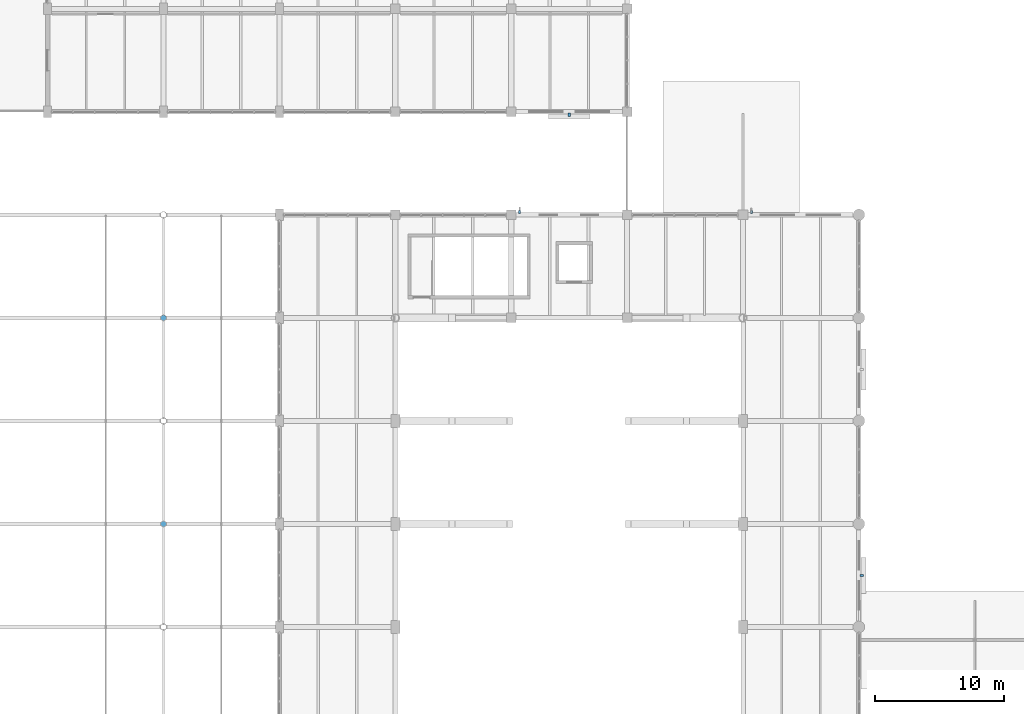
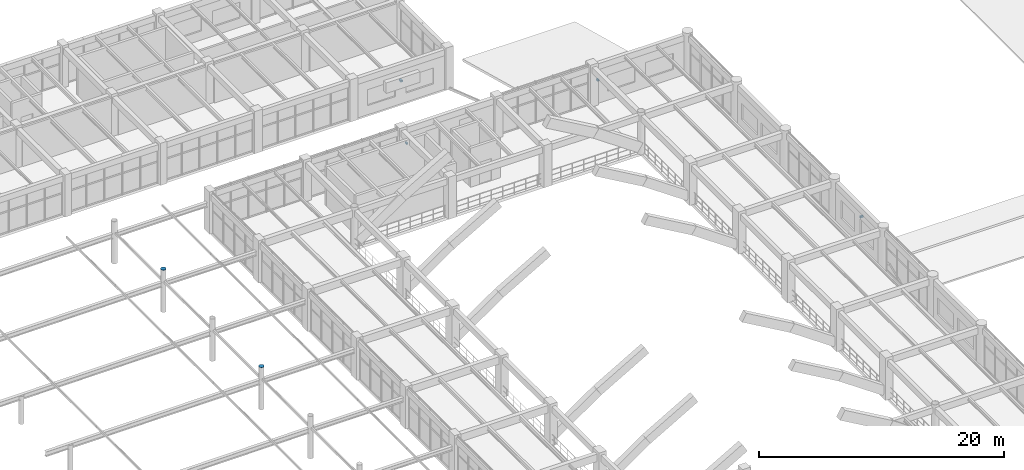
# One storey, part 134 of 148: 6 discrete accessories.
"""IFC4 building model written with IfcOpenShell, lengths in metres."""

from ifc_helpers import new_model, si_unit, derived_unit, direction, frame, origin, origin_2d, place, context, subcontext, project, spatial, rectangle, circle, extrude, material, type_object, element, save


model = new_model("IFC4")

# Units and contexts
model_context = context("Model", 3, precision=1e-05, world=origin(), true_north=direction((0.0, 1.0)))
body_context = subcontext(model_context, "Body", "Model", "MODEL_VIEW")
ifc_project = project(units=[si_unit("LENGTHUNIT", "METRE"), si_unit("AREAUNIT", "SQUARE_METRE"), si_unit("VOLUMEUNIT", "CUBIC_METRE"), si_unit("PLANEANGLEUNIT", "RADIAN"), si_unit("MASSUNIT", "GRAM", prefix="KILO"), derived_unit("THERMALTRANSMITTANCEUNIT", [(si_unit("MASSUNIT", "GRAM", prefix="KILO"), 1), (si_unit("TIMEUNIT", "SECOND"), -3), (si_unit("THERMODYNAMICTEMPERATUREUNIT", "KELVIN"), -1)])], contexts=[model_context])

# Site, building, storey
site_placement = place(None, origin())
site = spatial("IfcSite", under=ifc_project, at=site_placement, CompositionType="ELEMENT")
building_placement = place(site_placement, origin())
building = spatial("IfcBuilding", under=site, at=building_placement, Name="Zhenchuan Archway Interchange", CompositionType="ELEMENT")
storey_placement = place(building_placement, frame((0.0, 0.0, 10.199951171875)))
storey = spatial("IfcBuildingStorey", under=building, at=storey_placement, Name="L02", CompositionType="ELEMENT", Elevation=10.199951171875)

# Discrete accessories
ifc_material_1 = material(Name="Stainless Steel 316", Category="steel")
discrete_accessory_type_1 = type_object("IfcDiscreteAccessoryType", Name="BRK_SHD_1", PredefinedType="BRACKET", material=ifc_material_1)
for number, where, z_axis, x_axis, name in (
    (1, (45.653076171875, 88.2099609375, 1.97998046875), (0.0, 0.0, 1.0), (1.0, 0.0, 0.0), "Solar fin stainless fixing bracket L02-069"),
    (2, (63.653076171875, 88.2099609375, 1.97998046875), (0.0, 0.0, 1.0), (1.0, 0.0, 0.0), "Solar fin stainless fixing bracket L02-070"),
):
    element("IfcDiscreteAccessory", number, at=place(storey_placement, frame(where, z_axis=z_axis, x_axis=x_axis)), inside=storey, type_object=discrete_accessory_type_1, Name=name, PredefinedType="BRACKET", context=body_context, shape_type="SweptSolid", body=[
        extrude(rectangle(XDim=0.159912109375, YDim=0.239990234375, at=origin_2d()), origin(), (0.0, 0.0, 1.0), 0.159912109375),
    ])
discrete_accessory_type_2 = type_object("IfcDiscreteAccessoryType", Name="BRK_SHD_2", PredefinedType="BRACKET", material=ifc_material_1)
for number, where, z_axis, x_axis, name in (
    (3, (72.2099609375, 60.0, 2.4599609375), (0.0, 0.0, 1.0), (0.0, -1.0, 0.0), "Storm-louvre stainless fixing bracket L02-072"),
    (4, (49.5, 95.7900390625, 2.26025390625), (0.0, 0.0, 1.0), (-1.0, 0.0, 0.0), "Storm-louvre stainless fixing bracket L02-077"),
):
    element("IfcDiscreteAccessory", number, at=place(storey_placement, frame(where, z_axis=z_axis, x_axis=x_axis)), inside=storey, type_object=discrete_accessory_type_2, Name=name, PredefinedType="BRACKET", context=body_context, shape_type="SweptSolid", body=[
        extrude(rectangle(XDim=0.179931640625, YDim=0.280029296875, at=origin_2d()), origin(), (0.0, 0.0, 1.0), 0.179931640625),
    ])
ifc_material_2 = material(Name="Steel Q390", Category="steel")
discrete_accessory_type_3 = type_object("IfcDiscreteAccessoryType", Name="CAP_COL_STL_CHS457", PredefinedType="USERDEFINED", material=ifc_material_2)
for number, where, z_axis, x_axis, name in (
    (5, (18.0, 64.0, 4.199951171875), (0.0, 0.0, 1.0), (1.0, 0.0, 0.0), "End plate at the end of Column 3/J (L02)"),
    (6, (18.0, 80.0, 4.199951171875), (0.0, 0.0, 1.0), (1.0, 0.0, 0.0), "End plate at the end of Column 3/L (L02)"),
):
    element("IfcDiscreteAccessory", number, at=place(storey_placement, frame(where, z_axis=z_axis, x_axis=x_axis)), inside=storey, type_object=discrete_accessory_type_3, Name=name, ObjectType="END PLATE", PredefinedType="USERDEFINED", context=body_context, shape_type="SweptSolid", body=[
        extrude(circle(Radius=0.228515625, at=origin_2d()), origin(), (0.0, 0.0, 1.0), 0.025146484375),
    ])

save(model, "model.ifc")
